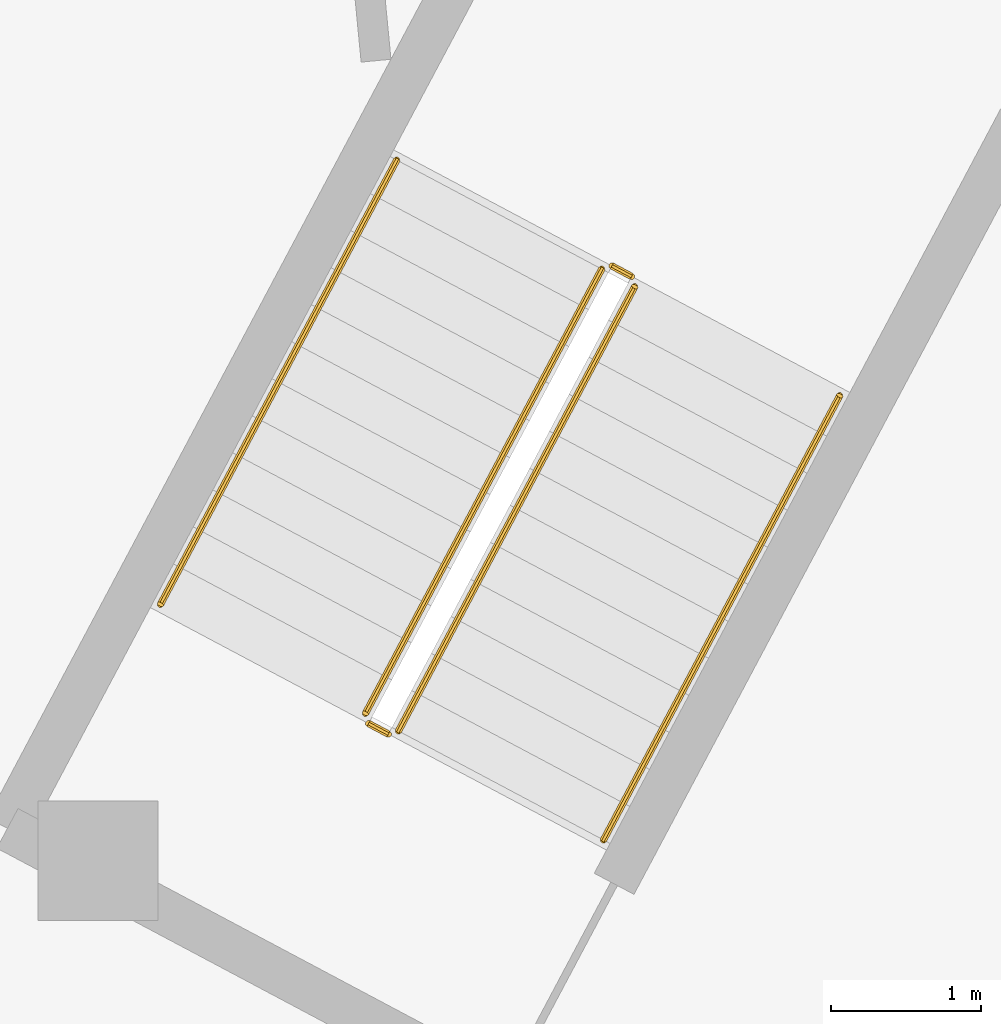
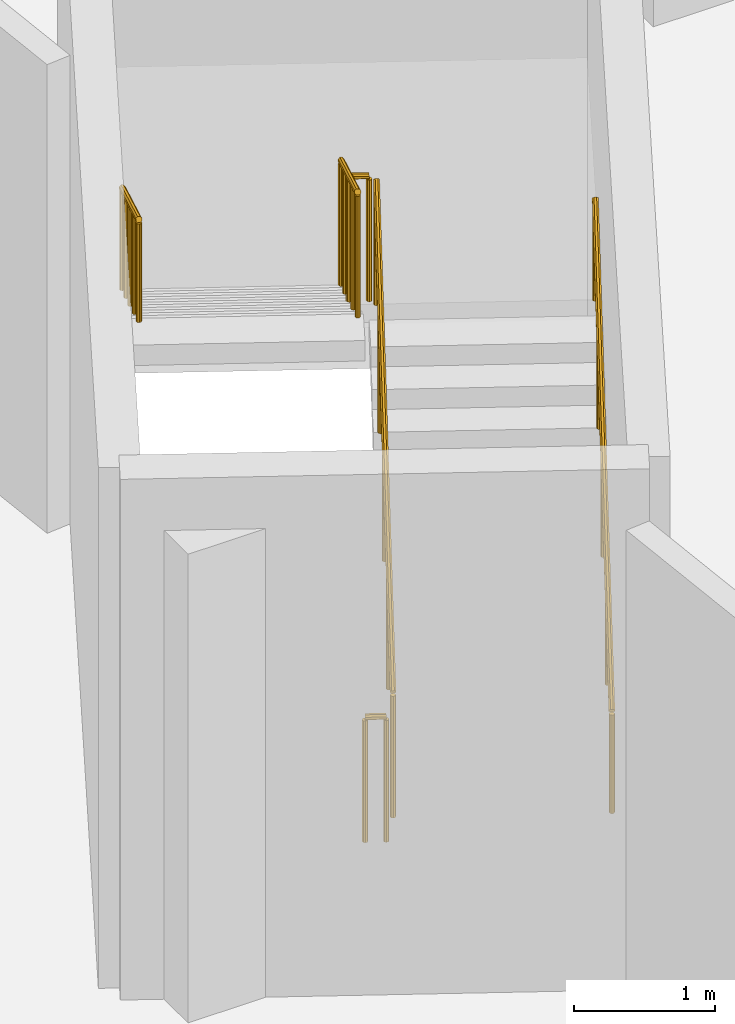
# One storey, part 25 of 27: 6 railings.
"""IFC4 building model written with IfcOpenShell, lengths in metres."""

from ifc_helpers import new_model, si_unit, direction, frame, origin, place, context, subcontext, project, spatial, polyline, outline, extrude, material, type_object, element, save


model = new_model("IFC4")

# Units and contexts
model_context = context("Model", 3, precision=1e-05, world=origin(), true_north=direction((0.0, 1.0)))
body_context = subcontext(model_context, "Body", "Model", "MODEL_VIEW")
ifc_project = project(units=[si_unit("LENGTHUNIT", "METRE"), si_unit("AREAUNIT", "SQUARE_METRE"), si_unit("VOLUMEUNIT", "CUBIC_METRE"), si_unit("PLANEANGLEUNIT", "RADIAN"), si_unit("MASSUNIT", "GRAM", prefix="KILO")], contexts=[model_context])

# Site, building, storey
site_placement = place(None, origin())
site = spatial("IfcSite", under=ifc_project, at=site_placement, CompositionType="ELEMENT")
building_placement = place(site_placement, origin())
building = spatial("IfcBuilding", under=site, at=building_placement, Name="Cormorant Relay Tower", CompositionType="ELEMENT")
storey_placement = place(building_placement, frame((0.0, 0.0, -4.5)))
storey = spatial("IfcBuildingStorey", under=building, at=storey_placement, Name="B1", CompositionType="ELEMENT", Elevation=-4.5)

# Railings
ifc_material_1 = material(Name="Steel ASTM A572 Grade 50 (Fy 345 MPa)", Category="steel")
railing_type_1 = type_object("IfcRailingType", Name="Stair guard 1100", PredefinedType="GUARDRAIL", material=ifc_material_1)
railing_1_placement = place(storey_placement, frame((11.007080078125, 45.866455078125, 0.173095703125)))
element("IfcRailing", 1, at=railing_1_placement, inside=storey, type_object=railing_type_1, Name="B1 RN1 stair guard 1", PredefinedType="GUARDRAIL", context=body_context, shape_type="SweptSolid", body=[
    extrude(outline(polyline([(0.022216796875, 0.00927734375), (0.00927734375, 0.022216796875), (-0.00927734375, 0.022216796875), (-0.022216796875, 0.00927734375), (-0.022216796875, -0.00927734375), (-0.00927734375, -0.022216796875), (0.00927734375, -0.022216796875), (0.022216796875, -0.00927734375), (0.022216796875, 0.00927734375)])), frame((0.0, 0.0, 1.076171875), z_axis=(0.399344577991, 0.75103481925, 0.525804724497), x_axis=(-0.88294160794, 0.469482818608, 0.0)), (0.0, 0.0, 1.0), 3.949951171875),
    extrude(outline(polyline([(0.019287109375, 0.008056640625), (0.008056640625, 0.019287109375), (-0.008056640625, 0.019287109375), (-0.019287109375, 0.008056640625), (-0.019287109375, -0.008056640625), (-0.008056640625, -0.019287109375), (0.008056640625, -0.019287109375), (0.019287109375, -0.008056640625), (0.019287109375, 0.008056640625)])), origin(), (0.0, 0.0, 1.0), 1.052001953125),
    extrude(outline(polyline([(0.019287109375, 0.008056640625), (0.008056640625, 0.019287109375), (-0.008056640625, 0.019287109375), (-0.019287109375, 0.008056640625), (-0.019287109375, -0.008056640625), (-0.008056640625, -0.019287109375), (0.008056640625, -0.019287109375), (0.019287109375, -0.008056640625), (0.019287109375, 0.008056640625)])), frame((0.394287109375, 0.74169921875, 0.519287109375)), (0.0, 0.0, 1.0), 1.052001953125),
    extrude(outline(polyline([(0.019287109375, 0.008056640625), (0.008056640625, 0.019287109375), (-0.008056640625, 0.019287109375), (-0.019287109375, 0.008056640625), (-0.019287109375, -0.008056640625), (-0.008056640625, -0.019287109375), (0.008056640625, -0.019287109375), (0.019287109375, -0.008056640625), (0.019287109375, 0.008056640625)])), frame((0.78857421875, 1.4833984375, 1.03857421875)), (0.0, 0.0, 1.0), 1.052001953125),
    extrude(outline(polyline([(0.019287109375, 0.008056640625), (0.008056640625, 0.019287109375), (-0.008056640625, 0.019287109375), (-0.019287109375, 0.008056640625), (-0.019287109375, -0.008056640625), (-0.008056640625, -0.019287109375), (0.008056640625, -0.019287109375), (0.019287109375, -0.008056640625), (0.019287109375, 0.008056640625)])), frame((1.18310546875, 2.224853515625, 1.5576171875)), (0.0, 0.0, 1.0), 1.052001953125),
    extrude(outline(polyline([(0.019287109375, 0.008056640625), (0.008056640625, 0.019287109375), (-0.008056640625, 0.019287109375), (-0.019287109375, 0.008056640625), (-0.019287109375, -0.008056640625), (-0.008056640625, -0.019287109375), (0.008056640625, -0.019287109375), (0.019287109375, -0.008056640625), (0.019287109375, 0.008056640625)])), frame((1.577392578125, 2.966552734375, 2.076904296875)), (0.0, 0.0, 1.0), 1.052001953125),
])
railing_2_placement = place(storey_placement, frame((12.56396484375, 48.900634765625, 2.25)))
element("IfcRailing", 2, at=railing_2_placement, inside=storey, type_object=railing_type_1, Name="B1 RN1 stair guard 2", PredefinedType="GUARDRAIL", context=body_context, shape_type="SweptSolid", body=[
    extrude(outline(polyline([(0.022216796875, 0.00927734375), (0.00927734375, 0.022216796875), (-0.00927734375, 0.022216796875), (-0.022216796875, 0.00927734375), (-0.022216796875, -0.00927734375), (-0.00927734375, -0.022216796875), (0.00927734375, -0.022216796875), (0.022216796875, -0.00927734375), (0.022216796875, 0.00927734375)])), frame((0.0, 0.0, 1.076171875), z_axis=(-0.882757634224, 0.469828648786, 0.0), x_axis=(-0.469828648786, -0.882757634224, 0.0)), (0.0, 0.0, 1.0), 0.150146484375),
    extrude(outline(polyline([(0.019287109375, 0.008056640625), (0.008056640625, 0.019287109375), (-0.008056640625, 0.019287109375), (-0.019287109375, 0.008056640625), (-0.019287109375, -0.008056640625), (-0.008056640625, -0.019287109375), (0.008056640625, -0.019287109375), (0.019287109375, -0.008056640625), (0.019287109375, 0.008056640625)])), origin(), (0.0, 0.0, 1.0), 1.052001953125),
    extrude(outline(polyline([(0.019287109375, 0.008056640625), (0.008056640625, 0.019287109375), (-0.008056640625, 0.019287109375), (-0.019287109375, 0.008056640625), (-0.019287109375, -0.008056640625), (-0.008056640625, -0.019287109375), (0.008056640625, -0.019287109375), (0.019287109375, -0.008056640625), (0.019287109375, 0.008056640625)])), frame((-0.132568359375, 0.070556640625, 0.0)), (0.0, 0.0, 1.0), 1.052001953125),
])
railing_3_placement = place(storey_placement, frame((12.36376953125, 48.950439453125, 2.423095703125)))
element("IfcRailing", 3, at=railing_3_placement, inside=storey, type_object=railing_type_1, Name="B1 RN1 stair guard 3", PredefinedType="GUARDRAIL", context=body_context, shape_type="SweptSolid", body=[
    extrude(outline(polyline([(0.022216796875, 0.00927734375), (0.00927734375, 0.022216796875), (-0.00927734375, 0.022216796875), (-0.022216796875, 0.00927734375), (-0.022216796875, -0.00927734375), (-0.00927734375, -0.022216796875), (0.00927734375, -0.022216796875), (0.022216796875, -0.00927734375), (0.022216796875, 0.00927734375)])), frame((0.0, 0.0, 1.076171875), z_axis=(-0.399326040817, -0.751061762576, 0.525780317169), x_axis=(0.882957622595, -0.46945269911, 0.0)), (0.0, 0.0, 1.0), 3.9501953125),
    extrude(outline(polyline([(0.019287109375, 0.008056640625), (0.008056640625, 0.019287109375), (-0.008056640625, 0.019287109375), (-0.019287109375, 0.008056640625), (-0.019287109375, -0.008056640625), (-0.008056640625, -0.019287109375), (0.008056640625, -0.019287109375), (0.019287109375, -0.008056640625), (0.019287109375, 0.008056640625)])), origin(), (0.0, 0.0, 1.0), 1.052001953125),
    extrude(outline(polyline([(0.019287109375, 0.008056640625), (0.008056640625, 0.019287109375), (-0.008056640625, 0.019287109375), (-0.019287109375, 0.008056640625), (-0.019287109375, -0.008056640625), (-0.008056640625, -0.019287109375), (0.008056640625, -0.019287109375), (0.019287109375, -0.008056640625), (0.019287109375, 0.008056640625)])), frame((-0.394287109375, -0.74169921875, 0.519287109375)), (0.0, 0.0, 1.0), 1.052001953125),
    extrude(outline(polyline([(0.019287109375, 0.008056640625), (0.008056640625, 0.019287109375), (-0.008056640625, 0.019287109375), (-0.019287109375, 0.008056640625), (-0.019287109375, -0.008056640625), (-0.008056640625, -0.019287109375), (0.008056640625, -0.019287109375), (0.019287109375, -0.008056640625), (0.019287109375, 0.008056640625)])), frame((-0.78857421875, -1.4833984375, 1.03857421875)), (0.0, 0.0, 1.0), 1.052001953125),
    extrude(outline(polyline([(0.019287109375, 0.008056640625), (0.008056640625, 0.019287109375), (-0.008056640625, 0.019287109375), (-0.019287109375, 0.008056640625), (-0.019287109375, -0.008056640625), (-0.008056640625, -0.019287109375), (0.008056640625, -0.019287109375), (0.019287109375, -0.008056640625), (0.019287109375, 0.008056640625)])), frame((-1.18310546875, -2.22509765625, 1.5576171875)), (0.0, 0.0, 1.0), 1.052001953125),
    extrude(outline(polyline([(0.019287109375, 0.008056640625), (0.008056640625, 0.019287109375), (-0.008056640625, 0.019287109375), (-0.019287109375, 0.008056640625), (-0.019287109375, -0.008056640625), (-0.008056640625, -0.019287109375), (0.008056640625, -0.019287109375), (0.019287109375, -0.008056640625), (0.019287109375, 0.008056640625)])), frame((-1.577392578125, -2.966796875, 2.076904296875)), (0.0, 0.0, 1.0), 1.052001953125),
])
railing_4_placement = place(storey_placement, frame((10.939453125, 45.845703125, 0.0)))
element("IfcRailing", 4, at=railing_4_placement, inside=storey, type_object=railing_type_1, Name="B1 RN1 stair guard 4", PredefinedType="GUARDRAIL", context=body_context, shape_type="SweptSolid", body=[
    extrude(outline(polyline([(0.022216796875, 0.00927734375), (0.00927734375, 0.022216796875), (-0.00927734375, 0.022216796875), (-0.022216796875, 0.00927734375), (-0.022216796875, -0.00927734375), (-0.00927734375, -0.022216796875), (0.00927734375, -0.022216796875), (0.022216796875, -0.00927734375), (0.022216796875, 0.00927734375)])), frame((0.0, 0.0, 1.076171875), z_axis=(-0.883073525669, 0.469234640946, 0.0), x_axis=(-0.469234640946, -0.883073525669, 0.0)), (0.0, 0.0, 1.0), 0.14990234375),
    extrude(outline(polyline([(0.019287109375, 0.008056640625), (0.008056640625, 0.019287109375), (-0.008056640625, 0.019287109375), (-0.019287109375, 0.008056640625), (-0.019287109375, -0.008056640625), (-0.008056640625, -0.019287109375), (0.008056640625, -0.019287109375), (0.019287109375, -0.008056640625), (0.019287109375, 0.008056640625)])), origin(), (0.0, 0.0, 1.0), 1.052001953125),
    extrude(outline(polyline([(0.019287109375, 0.008056640625), (0.008056640625, 0.019287109375), (-0.008056640625, 0.019287109375), (-0.019287109375, 0.008056640625), (-0.019287109375, -0.008056640625), (-0.008056640625, -0.019287109375), (0.008056640625, -0.019287109375), (0.019287109375, -0.008056640625), (0.019287109375, 0.008056640625)])), frame((-0.13232421875, 0.0703125, 0.0)), (0.0, 0.0, 1.0), 1.052001953125),
])
ifc_material_2 = material(Name="Steel ASTM A572 Grade 50 (Fy 345 MPa)", Category="steel")
railing_type_2 = type_object("IfcRailingType", Name="Stair handrail 900", PredefinedType="HANDRAIL", material=ifc_material_2)
railing_5_placement = place(storey_placement, frame((12.375732421875, 45.138671875, 0.173095703125)))
element("IfcRailing", 5, at=railing_5_placement, inside=storey, type_object=railing_type_2, Name="B1 RN1 stair handrail 1", PredefinedType="HANDRAIL", context=body_context, shape_type="SweptSolid", body=[
    extrude(outline(polyline([(0.022216796875, 0.00927734375), (0.00927734375, 0.022216796875), (-0.00927734375, 0.022216796875), (-0.022216796875, 0.00927734375), (-0.022216796875, -0.00927734375), (-0.00927734375, -0.022216796875), (0.00927734375, -0.022216796875), (0.022216796875, -0.00927734375), (0.022216796875, 0.00927734375)])), frame((0.0, 0.0, 0.8759765625), z_axis=(0.399326040817, 0.751061762576, 0.525780317169), x_axis=(-0.882957622595, 0.46945269911, 0.0)), (0.0, 0.0, 1.0), 3.9501953125),
    extrude(outline(polyline([(0.019287109375, 0.008056640625), (0.008056640625, 0.019287109375), (-0.008056640625, 0.019287109375), (-0.019287109375, 0.008056640625), (-0.019287109375, -0.008056640625), (-0.008056640625, -0.019287109375), (0.008056640625, -0.019287109375), (0.019287109375, -0.008056640625), (0.019287109375, 0.008056640625)])), origin(), (0.0, 0.0, 1.0), 0.851806640625),
    extrude(outline(polyline([(0.019287109375, 0.008056640625), (0.008056640625, 0.019287109375), (-0.008056640625, 0.019287109375), (-0.019287109375, 0.008056640625), (-0.019287109375, -0.008056640625), (-0.008056640625, -0.019287109375), (0.008056640625, -0.019287109375), (0.019287109375, -0.008056640625), (0.019287109375, 0.008056640625)])), frame((0.394287109375, 0.74169921875, 0.519287109375)), (0.0, 0.0, 1.0), 0.851806640625),
    extrude(outline(polyline([(0.019287109375, 0.008056640625), (0.008056640625, 0.019287109375), (-0.008056640625, 0.019287109375), (-0.019287109375, 0.008056640625), (-0.019287109375, -0.008056640625), (-0.008056640625, -0.019287109375), (0.008056640625, -0.019287109375), (0.019287109375, -0.008056640625), (0.019287109375, 0.008056640625)])), frame((0.78857421875, 1.4833984375, 1.03857421875)), (0.0, 0.0, 1.0), 0.851806640625),
    extrude(outline(polyline([(0.019287109375, 0.008056640625), (0.008056640625, 0.019287109375), (-0.008056640625, 0.019287109375), (-0.019287109375, 0.008056640625), (-0.019287109375, -0.008056640625), (-0.008056640625, -0.019287109375), (0.008056640625, -0.019287109375), (0.019287109375, -0.008056640625), (0.019287109375, 0.008056640625)])), frame((1.18310546875, 2.22509765625, 1.5576171875)), (0.0, 0.0, 1.0), 0.851806640625),
    extrude(outline(polyline([(0.019287109375, 0.008056640625), (0.008056640625, 0.019287109375), (-0.008056640625, 0.019287109375), (-0.019287109375, 0.008056640625), (-0.019287109375, -0.008056640625), (-0.008056640625, -0.019287109375), (0.008056640625, -0.019287109375), (0.019287109375, -0.008056640625), (0.019287109375, 0.008056640625)])), frame((1.577392578125, 2.966796875, 2.076904296875)), (0.0, 0.0, 1.0), 0.851806640625),
])
railing_6_placement = place(storey_placement, frame((10.9951171875, 49.67822265625, 2.423095703125)))
element("IfcRailing", 6, at=railing_6_placement, inside=storey, type_object=railing_type_2, Name="B1 RN1 stair handrail 2", PredefinedType="HANDRAIL", context=body_context, shape_type="SweptSolid", body=[
    extrude(outline(polyline([(0.022216796875, 0.00927734375), (0.00927734375, 0.022216796875), (-0.00927734375, 0.022216796875), (-0.022216796875, 0.00927734375), (-0.022216796875, -0.00927734375), (-0.00927734375, -0.022216796875), (0.00927734375, -0.022216796875), (0.022216796875, -0.00927734375), (0.022216796875, 0.00927734375)])), frame((0.0, 0.0, 0.8759765625), z_axis=(-0.399326040817, -0.751061762576, 0.525780317169), x_axis=(0.882957622595, -0.46945269911, 0.0)), (0.0, 0.0, 1.0), 3.9501953125),
    extrude(outline(polyline([(0.019287109375, 0.008056640625), (0.008056640625, 0.019287109375), (-0.008056640625, 0.019287109375), (-0.019287109375, 0.008056640625), (-0.019287109375, -0.008056640625), (-0.008056640625, -0.019287109375), (0.008056640625, -0.019287109375), (0.019287109375, -0.008056640625), (0.019287109375, 0.008056640625)])), origin(), (0.0, 0.0, 1.0), 0.851806640625),
    extrude(outline(polyline([(0.019287109375, 0.008056640625), (0.008056640625, 0.019287109375), (-0.008056640625, 0.019287109375), (-0.019287109375, 0.008056640625), (-0.019287109375, -0.008056640625), (-0.008056640625, -0.019287109375), (0.008056640625, -0.019287109375), (0.019287109375, -0.008056640625), (0.019287109375, 0.008056640625)])), frame((-0.394287109375, -0.74169921875, 0.519287109375)), (0.0, 0.0, 1.0), 0.851806640625),
    extrude(outline(polyline([(0.019287109375, 0.008056640625), (0.008056640625, 0.019287109375), (-0.008056640625, 0.019287109375), (-0.019287109375, 0.008056640625), (-0.019287109375, -0.008056640625), (-0.008056640625, -0.019287109375), (0.008056640625, -0.019287109375), (0.019287109375, -0.008056640625), (0.019287109375, 0.008056640625)])), frame((-0.78857421875, -1.4833984375, 1.03857421875)), (0.0, 0.0, 1.0), 0.851806640625),
    extrude(outline(polyline([(0.019287109375, 0.008056640625), (0.008056640625, 0.019287109375), (-0.008056640625, 0.019287109375), (-0.019287109375, 0.008056640625), (-0.019287109375, -0.008056640625), (-0.008056640625, -0.019287109375), (0.008056640625, -0.019287109375), (0.019287109375, -0.008056640625), (0.019287109375, 0.008056640625)])), frame((-1.18310546875, -2.22509765625, 1.5576171875)), (0.0, 0.0, 1.0), 0.851806640625),
    extrude(outline(polyline([(0.019287109375, 0.008056640625), (0.008056640625, 0.019287109375), (-0.008056640625, 0.019287109375), (-0.019287109375, 0.008056640625), (-0.019287109375, -0.008056640625), (-0.008056640625, -0.019287109375), (0.008056640625, -0.019287109375), (0.019287109375, -0.008056640625), (0.019287109375, 0.008056640625)])), frame((-1.577392578125, -2.966796875, 2.076904296875)), (0.0, 0.0, 1.0), 0.851806640625),
])

save(model, "model.ifc")
